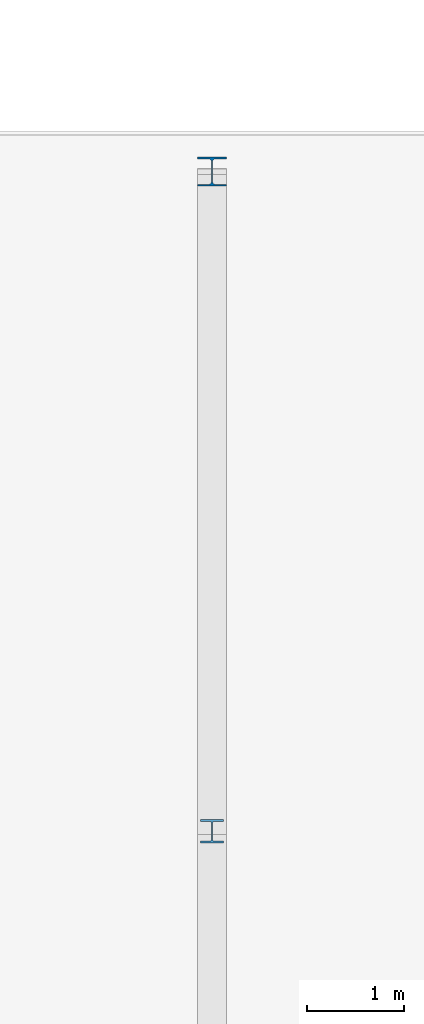
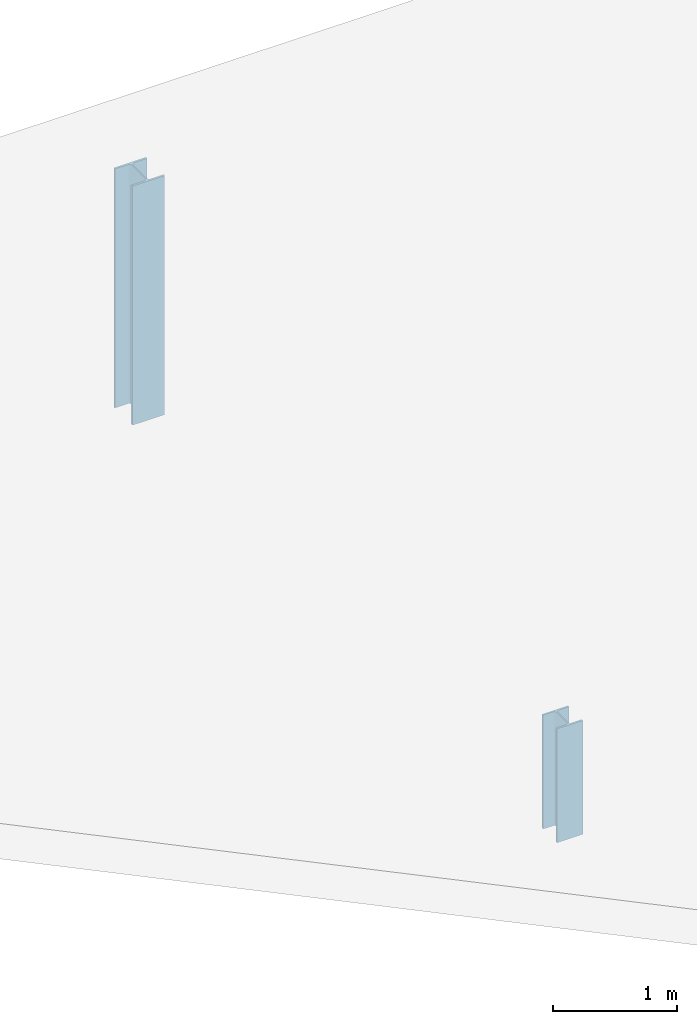
# One storey, part 2 of 56: 2 columns.
"""IFC4 building model written with IfcOpenShell, lengths in metres."""

from ifc_helpers import new_model, si_unit, direction, frame, origin, origin_2d, place, context, subcontext, project, spatial, i_section, extrude, material, material_profile, profile_set, type_object, element, save


model = new_model("IFC4")

# Units and contexts
model_context = context("Model", 3, precision=1e-05, world=origin(), true_north=direction((0.0, 1.0)))
body_context = subcontext(model_context, "Body", "Model", "MODEL_VIEW")
ifc_project = project(units=[si_unit("LENGTHUNIT", "METRE"), si_unit("AREAUNIT", "SQUARE_METRE"), si_unit("VOLUMEUNIT", "CUBIC_METRE"), si_unit("PLANEANGLEUNIT", "RADIAN"), si_unit("MASSUNIT", "GRAM", prefix="KILO")], contexts=[model_context])

# Site, building, storey
site_placement = place(None, origin())
site = spatial("IfcSite", under=ifc_project, at=site_placement, CompositionType="ELEMENT")
building_placement = place(site_placement, origin())
building = spatial("IfcBuilding", under=site, at=building_placement, Name="Vardoun Plaza Health Centre", CompositionType="ELEMENT")
storey_placement = place(building_placement, frame((0.0, 0.0, 8.699951171875)))
storey = spatial("IfcBuildingStorey", under=building, at=storey_placement, Name="L02", CompositionType="ELEMENT", Elevation=8.699951171875)

# Columns
ifc_material_1 = material(Name="Steel S355J2", Category="steel")
ifc_material_profile_1 = material_profile(ifc_material_1, i_section(OverallWidth=0.239990234375, OverallDepth=0.239990234375, WebThickness=0.010009765625, FlangeThickness=0.01708984375, FilletRadius=0.02099609375, at=origin_2d()), Name="HEB 240")
ifc_profile_set_1 = profile_set([ifc_material_profile_1], Name="Steel S355J2")
column_type_1 = type_object("IfcColumnType", Name="C-19", PredefinedType="COLUMN", material=ifc_profile_set_1)
column_1_placement = place(storey_placement, frame((62.280029296875, 11.699951171875, -0.239990234375), z_axis=(0.0, 0.0, 1.0), x_axis=(1.0, 0.0, 0.0)))
element("IfcColumn", 1, at=column_1_placement, inside=storey, type_object=column_type_1, Name="V4 Clerestory Mid Post 1", PredefinedType="COLUMN", context=body_context, shape_type="SweptSolid", body=[
    extrude(i_section(OverallWidth=0.239990234375, OverallDepth=0.239990234375, WebThickness=0.010009765625, FlangeThickness=0.01708984375, FilletRadius=0.02099609375, at=origin_2d()), origin(), (0.0, 0.0, 1.0), 1.1201171875),
])
ifc_material_2 = material(Name="Steel S355J2", Category="steel")
ifc_material_profile_2 = material_profile(ifc_material_2, i_section(OverallWidth=0.300048828125, OverallDepth=0.300048828125, WebThickness=0.010986328125, FlangeThickness=0.01904296875, FilletRadius=0.027099609375, at=origin_2d()), Name="HEB 300")
ifc_profile_set_2 = profile_set([ifc_material_profile_2], Name="Steel S355J2")
column_type_2 = type_object("IfcColumnType", Name="C-18", PredefinedType="COLUMN", material=ifc_profile_set_2)
column_2_placement = place(storey_placement, frame((62.280029296875, 18.52001953125, -0.239990234375), z_axis=(0.0, 0.0, 1.0), x_axis=(1.0, 0.0, 0.0)))
element("IfcColumn", 2, at=column_2_placement, inside=storey, type_object=column_type_2, Name="V4 Clerestory Ridge Post 1", PredefinedType="COLUMN", context=body_context, shape_type="SweptSolid", body=[
    extrude(i_section(OverallWidth=0.300048828125, OverallDepth=0.300048828125, WebThickness=0.010986328125, FlangeThickness=0.01904296875, FilletRadius=0.027099609375, at=origin_2d()), origin(), (0.0, 0.0, 1.0), 2.351318359375),
])

save(model, "model.ifc")
